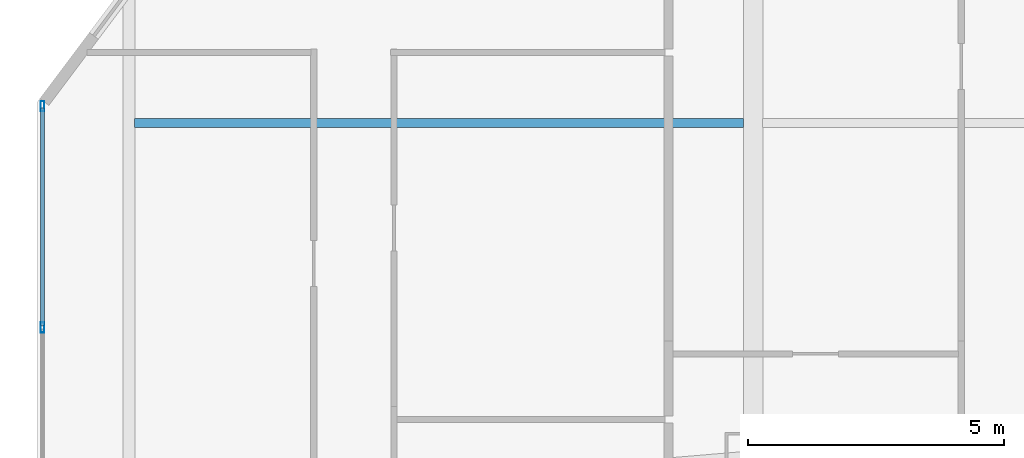
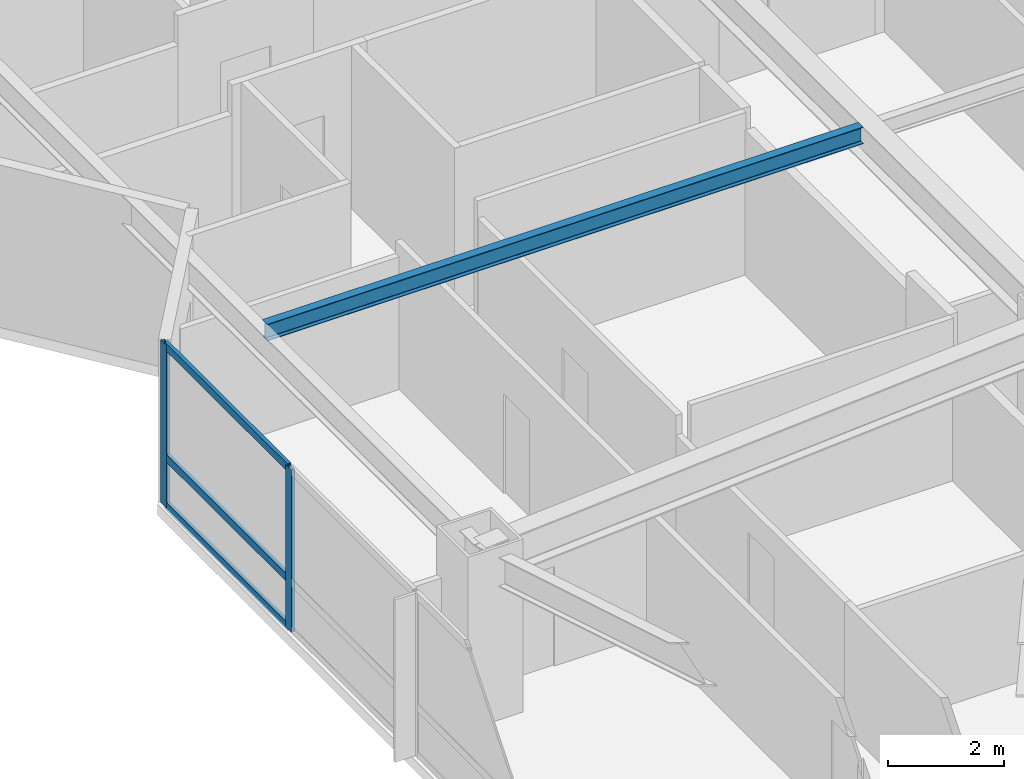
# One storey, part 6 of 18: 5 members, 1 beam, 1 element without a shape of its own.
"""IFC4 building model written with IfcOpenShell, lengths in metres."""

from ifc_helpers import new_model, si_unit, direction, frame, origin, origin_2d, place, context, subcontext, project, spatial, hollow_rectangle, i_section, extrude, material, material_profile, profile_set, type_object, element, aggregate, save


model = new_model("IFC4")

# Units and contexts
model_context = context("Model", 3, precision=1e-05, world=origin(), true_north=direction((0.0, 1.0)))
body_context = subcontext(model_context, "Body", "Model", "MODEL_VIEW")
ifc_project = project(units=[si_unit("LENGTHUNIT", "METRE"), si_unit("AREAUNIT", "SQUARE_METRE"), si_unit("VOLUMEUNIT", "CUBIC_METRE"), si_unit("PLANEANGLEUNIT", "RADIAN"), si_unit("MASSUNIT", "GRAM", prefix="KILO")], contexts=[model_context])

# Site, building, storey
site_placement = place(None, origin())
site = spatial("IfcSite", under=ifc_project, at=site_placement, CompositionType="ELEMENT")
building_placement = place(site_placement, origin())
building = spatial("IfcBuilding", under=site, at=building_placement, Name="Khamvora Tower", CompositionType="ELEMENT")
storey_placement = place(building_placement, frame((0.0, 0.0, 47.89990234375)))
storey = spatial("IfcBuildingStorey", under=building, at=storey_placement, Name="L11", CompositionType="ELEMENT", Elevation=47.89990234375)

# Beam
ifc_material_1 = material(Name="Steel S355", Category="steel")
ifc_material_profile_1 = material_profile(ifc_material_1, i_section(OverallWidth=0.1708984375, OverallDepth=0.35498046875, WebThickness=0.007080078125, FlangeThickness=0.011962890625, FilletRadius=0.010009765625, at=origin_2d()), Name="W360x51")
ifc_profile_set_1 = profile_set([ifc_material_profile_1], Name="Steel S355")
beam_type = type_object("IfcBeamType", Name="BM-JS-W360x51", PredefinedType="JOIST", material=ifc_profile_set_1)
beam_placement = place(storey_placement, frame((5.909912109375, 24.39990234375, 3.252197265625), z_axis=(1.0, 0.0, 0.0), x_axis=(0.0, 1.0, 0.0)))
element("IfcBeam", 1, at=beam_placement, inside=storey, type_object=beam_type, Name="L11 secondary floor joist 04", PredefinedType="JOIST", context=body_context, shape_type="SweptSolid", body=[
    extrude(i_section(OverallWidth=0.1708984375, OverallDepth=0.35498046875, WebThickness=0.007080078125, FlangeThickness=0.011962890625, FilletRadius=0.010009765625, at=origin_2d()), origin(), (0.0, 0.0, 1.0), 11.904052734375),
])

# Curtain wall, members
ifc_material_2 = material(Name="Anodised Aluminium 6063-T6", Category="aluminium")
curtain_wall_type = type_object("IfcCurtainWallType", Name="CW-SYS-02", PredefinedType="NOTDEFINED", material=ifc_material_2)
curtain_wall_placement = place(storey_placement, origin())
curtain_wall = element("IfcCurtainWall", 2, at=curtain_wall_placement, inside=storey, type_object=curtain_wall_type, Name="L11 stick curtain wall 02.1", PredefinedType="NOTDEFINED")
ifc_material_profile_2 = material_profile(ifc_material_2, hollow_rectangle(XDim=0.070068359375, YDim=0.199951171875, WallThickness=0.0048828125, at=origin_2d()), Name="MUL70x200x5")
ifc_profile_set_2 = profile_set([ifc_material_profile_2], Name="Anodised Aluminium 6063-T6")
member_type_1 = type_object("IfcMemberType", Name="CW-SYS-02-MUL", PredefinedType="MULLION", material=ifc_profile_set_2)
member_1_placement = place(storey_placement, frame((4.110107421875, 20.401611328125, 0.0), z_axis=(0.0, 0.0, 1.0), x_axis=(-1.0, 0.0, 0.0)))
member_1 = element("IfcMember", 3, at=member_1_placement, type_object=member_type_1, Name="CW-02 mullion 4", PredefinedType="MULLION", context=body_context, shape_type="SweptSolid", body=[
    extrude(hollow_rectangle(XDim=0.070068359375, YDim=0.199951171875, WallThickness=0.0048828125, at=origin_2d()), origin(), (0.0, 0.0, 1.0), 3.43017578125),
])
member_2_placement = place(storey_placement, frame((4.110107421875, 24.72802734375, 0.0), z_axis=(0.0, 0.0, 1.0), x_axis=(-1.0, 0.0, 0.0)))
member_2 = element("IfcMember", 4, at=member_2_placement, type_object=member_type_1, Name="CW-02 mullion 5", PredefinedType="MULLION", context=body_context, shape_type="SweptSolid", body=[
    extrude(hollow_rectangle(XDim=0.070068359375, YDim=0.199951171875, WallThickness=0.0048828125, at=origin_2d()), origin(), (0.0, 0.0, 1.0), 3.43017578125),
])
ifc_material_profile_3 = material_profile(ifc_material_2, hollow_rectangle(XDim=0.070068359375, YDim=0.1650390625, WallThickness=0.0048828125, at=origin_2d()), Name="TRN70x165x5")
ifc_profile_set_3 = profile_set([ifc_material_profile_3], Name="Anodised Aluminium 6063-T6")
member_type_2 = type_object("IfcMemberType", Name="CW-SYS-02-TRN", PredefinedType="USERDEFINED", material=ifc_profile_set_3)
member_3_placement = place(storey_placement, frame((4.110107421875, 20.4365234375, 0.03515625), z_axis=(0.0, 1.0, 0.0), x_axis=(-1.0, 0.0, 0.0)))
member_3 = element("IfcMember", 5, at=member_3_placement, type_object=member_type_2, Name="CW-02 transom 4.1", ObjectType="TRANSOM", PredefinedType="USERDEFINED", context=body_context, shape_type="SweptSolid", body=[
    extrude(hollow_rectangle(XDim=0.070068359375, YDim=0.1650390625, WallThickness=0.0048828125, at=origin_2d()), origin(), (0.0, 0.0, 1.0), 4.256591796875),
])
member_4_placement = place(storey_placement, frame((4.110107421875, 20.4365234375, 1.050048828125), z_axis=(0.0, 1.0, 0.0), x_axis=(-1.0, 0.0, 0.0)))
member_4 = element("IfcMember", 6, at=member_4_placement, type_object=member_type_2, Name="CW-02 transom 4.2", ObjectType="TRANSOM", PredefinedType="USERDEFINED", context=body_context, shape_type="SweptSolid", body=[
    extrude(hollow_rectangle(XDim=0.070068359375, YDim=0.1650390625, WallThickness=0.0048828125, at=origin_2d()), origin(), (0.0, 0.0, 1.0), 4.256591796875),
])
member_5_placement = place(storey_placement, frame((4.110107421875, 20.4365234375, 3.39501953125), z_axis=(0.0, 1.0, 0.0), x_axis=(-1.0, 0.0, 0.0)))
member_5 = element("IfcMember", 7, at=member_5_placement, type_object=member_type_2, Name="CW-02 transom 4.3", ObjectType="TRANSOM", PredefinedType="USERDEFINED", context=body_context, shape_type="SweptSolid", body=[
    extrude(hollow_rectangle(XDim=0.070068359375, YDim=0.1650390625, WallThickness=0.0048828125, at=origin_2d()), origin(), (0.0, 0.0, 1.0), 4.256591796875),
])
aggregate(curtain_wall, [member_1, member_2, member_3, member_4, member_5])

save(model, "model.ifc")
